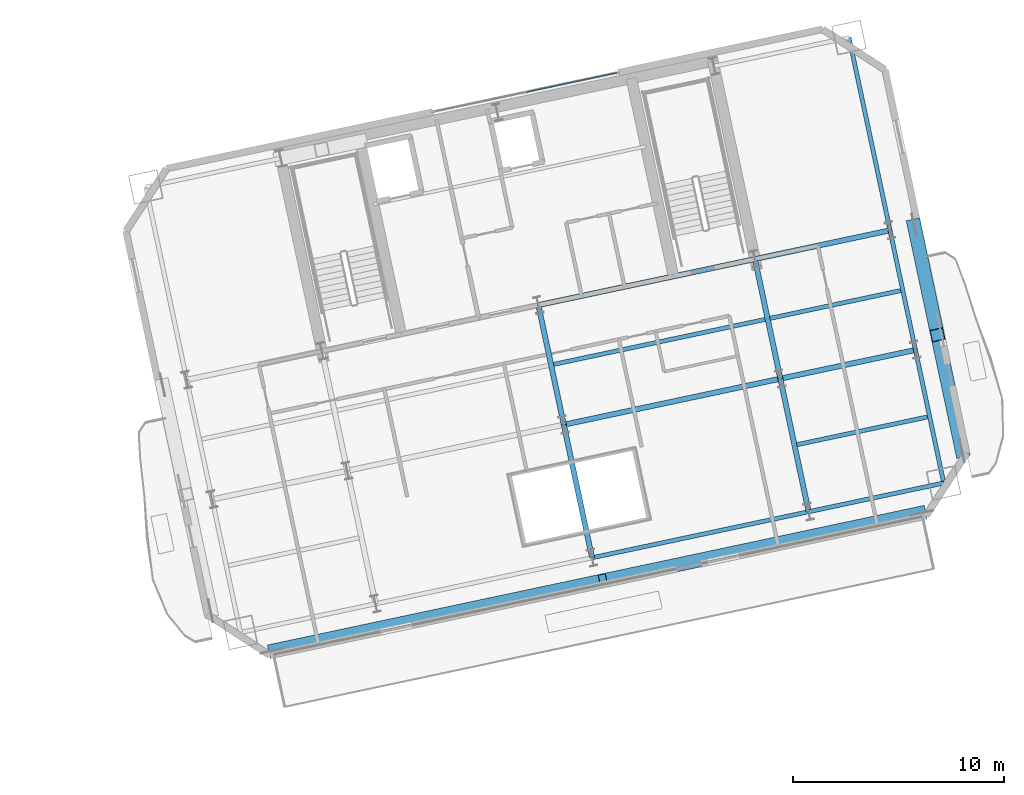
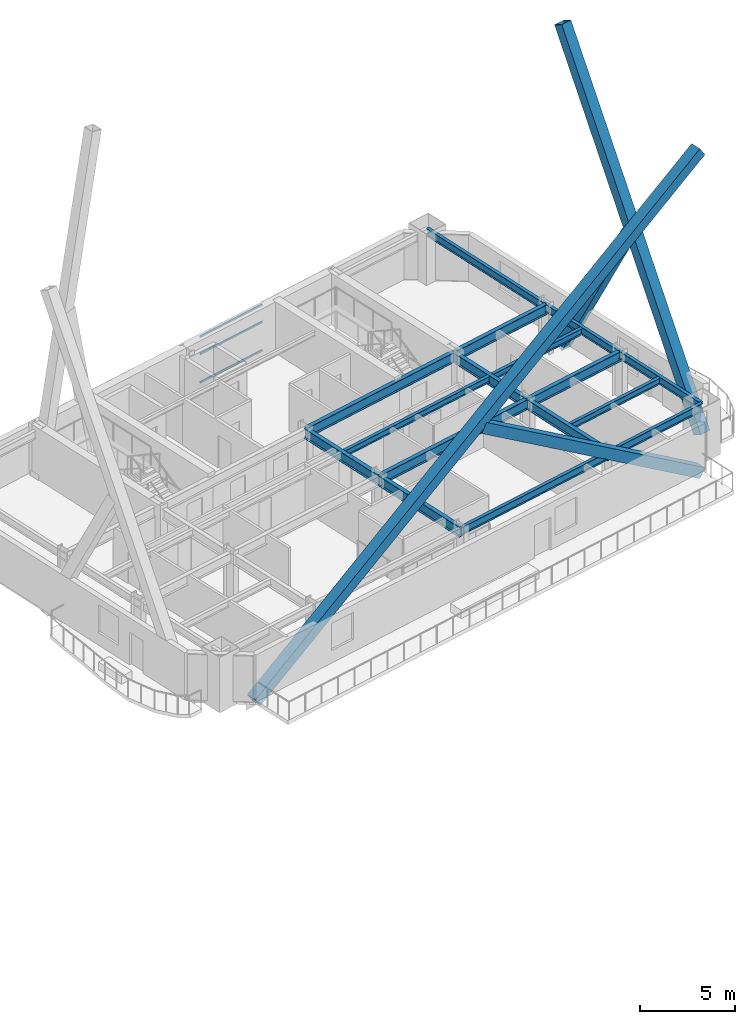
# One storey, part 7 of 22: 16 beams, 7 members, 1 element without a shape of its own.
"""IFC4 building model written with IfcOpenShell, lengths in metres."""

from ifc_helpers import new_model, si_unit, direction, frame, origin, origin_2d, place, context, subcontext, project, spatial, hollow_rectangle, i_section, extrude, material, layer, layer_set, material_profile, profile_set, type_object, element, aggregate, save


model = new_model("IFC4")

# Units and contexts
model_context = context("Model", 3, precision=1e-05, world=origin(), true_north=direction((0.0, 1.0)))
body_context = subcontext(model_context, "Body", "Model", "MODEL_VIEW")
ifc_project = project(units=[si_unit("LENGTHUNIT", "METRE"), si_unit("AREAUNIT", "SQUARE_METRE"), si_unit("VOLUMEUNIT", "CUBIC_METRE"), si_unit("PLANEANGLEUNIT", "RADIAN"), si_unit("MASSUNIT", "GRAM", prefix="KILO")], contexts=[model_context])

# Site, building, storey
site_placement = place(None, origin())
site = spatial("IfcSite", under=ifc_project, at=site_placement, CompositionType="ELEMENT")
building_placement = place(site_placement, origin())
building = spatial("IfcBuilding", under=site, at=building_placement, Name="Haevon Station Towers", CompositionType="ELEMENT")
storey_placement = place(building_placement, frame((0.0, 0.0, 113.10009765625)))
storey = spatial("IfcBuildingStorey", under=building, at=storey_placement, Name="L30", CompositionType="ELEMENT", Elevation=113.10009765625)

# Beams
ifc_material_1 = material(Name="Steel S355", Category="steel")
ifc_material_profile_1 = material_profile(ifc_material_1, i_section(OverallWidth=0.25, OverallDepth=0.64990234375, WebThickness=0.012939453125, FlangeThickness=0.02197265625, at=origin_2d()), Name="H-650x250x13x22")
ifc_profile_set_1 = profile_set([ifc_material_profile_1], Name="Steel S355")
beam_type_1 = type_object("IfcBeamType", Name="BM-G650", PredefinedType="BEAM", material=ifc_profile_set_1)
beam_1_placement = place(storey_placement, frame((110.228759765625, 33.9521484375, 2.724853515625), z_axis=(0.978146794194, 0.207915485254, 0.0), x_axis=(-0.207915485254, 0.978146794194, 0.0)))
element("IfcBeam", 1, at=beam_1_placement, inside=storey, type_object=beam_type_1, Name="BM-T2U-L30-02-03", PredefinedType="BEAM", context=body_context, shape_type="SweptSolid", body=[
    extrude(i_section(OverallWidth=0.25, OverallDepth=0.64990234375, WebThickness=0.012939453125, FlangeThickness=0.02197265625, at=origin_2d()), origin(), (0.0, 0.0, 1.0), 10.5),
])
beam_2_placement = place(storey_placement, frame((120.499267578125, 36.13525390625, 2.724853515625), z_axis=(0.978148524343, 0.207907345532, 0.0), x_axis=(-0.207907345532, 0.978148524343, 0.0)))
element("IfcBeam", 2, at=beam_2_placement, inside=storey, type_object=beam_type_1, Name="BM-T2U-L30-02-04", PredefinedType="BEAM", context=body_context, shape_type="SweptSolid", body=[
    extrude(i_section(OverallWidth=0.25, OverallDepth=0.64990234375, WebThickness=0.012939453125, FlangeThickness=0.02197265625, at=origin_2d()), origin(), (0.0, 0.0, 1.0), 6.550048828125),
])
beam_3_placement = place(storey_placement, frame((109.02294921875, 39.62548828125, 2.724853515625), z_axis=(0.978146794194, 0.207915485254, 0.0), x_axis=(-0.207915485254, 0.978146794194, 0.0)))
element("IfcBeam", 3, at=beam_3_placement, inside=storey, type_object=beam_type_1, Name="BM-T2U-L30-03-03", PredefinedType="BEAM", context=body_context, shape_type="SweptSolid", body=[
    extrude(i_section(OverallWidth=0.25, OverallDepth=0.64990234375, WebThickness=0.012939453125, FlangeThickness=0.02197265625, at=origin_2d()), origin(), (0.0, 0.0, 1.0), 10.5),
])
beam_4_placement = place(storey_placement, frame((119.29345703125, 41.80859375, 2.724853515625), z_axis=(0.978146913123, 0.207914925745, 0.0), x_axis=(-0.207914925745, 0.978146913123, 0.0)))
element("IfcBeam", 4, at=beam_4_placement, inside=storey, type_object=beam_type_1, Name="BM-T2U-L30-03-04", PredefinedType="BEAM", context=body_context, shape_type="SweptSolid", body=[
    extrude(i_section(OverallWidth=0.25, OverallDepth=0.64990234375, WebThickness=0.012939453125, FlangeThickness=0.02197265625, at=origin_2d()), origin(), (0.0, 0.0, 1.0), 6.5498046875),
])
beam_5_placement = place(storey_placement, frame((111.56982421875, 27.64306640625, 2.724853515625), z_axis=(-0.207915795165, 0.978146728319, 0.0), x_axis=(-0.978146728319, -0.207915795165, 0.0)))
element("IfcBeam", 5, at=beam_5_placement, inside=storey, type_object=beam_type_1, Name="BM-T2V-L30-03-01", PredefinedType="BEAM", context=body_context, shape_type="SweptSolid", body=[
    extrude(i_section(OverallWidth=0.25, OverallDepth=0.64990234375, WebThickness=0.012939453125, FlangeThickness=0.02197265625, at=origin_2d()), origin(), (0.0, 0.0, 1.0), 6.449951171875),
])
beam_6_placement = place(storey_placement, frame((110.228759765625, 33.9521484375, 2.724853515625), z_axis=(-0.207896009217, 0.97815093383, 0.0), x_axis=(-0.97815093383, -0.207896009217, 0.0)))
element("IfcBeam", 6, at=beam_6_placement, inside=storey, type_object=beam_type_1, Name="BM-T2V-L30-03-02", PredefinedType="BEAM", context=body_context, shape_type="SweptSolid", body=[
    extrude(i_section(OverallWidth=0.25, OverallDepth=0.64990234375, WebThickness=0.012939453125, FlangeThickness=0.02197265625, at=origin_2d()), origin(), (0.0, 0.0, 1.0), 5.800048828125),
])
beam_7_placement = place(storey_placement, frame((121.84033203125, 29.826171875, 2.724853515625), z_axis=(-0.207915795165, 0.978146728319, 0.0), x_axis=(-0.978146728319, -0.207915795165, 0.0)))
element("IfcBeam", 7, at=beam_7_placement, inside=storey, type_object=beam_type_1, Name="BM-T2V-L30-04-01", PredefinedType="BEAM", context=body_context, shape_type="SweptSolid", body=[
    extrude(i_section(OverallWidth=0.25, OverallDepth=0.64990234375, WebThickness=0.012939453125, FlangeThickness=0.02197265625, at=origin_2d()), origin(), (0.0, 0.0, 1.0), 6.449951171875),
])
beam_8_placement = place(storey_placement, frame((120.499267578125, 36.13525390625, 2.724853515625), z_axis=(-0.207896009217, 0.97815093383, 0.0), x_axis=(-0.97815093383, -0.207896009217, 0.0)))
element("IfcBeam", 8, at=beam_8_placement, inside=storey, type_object=beam_type_1, Name="BM-T2V-L30-04-02", PredefinedType="BEAM", context=body_context, shape_type="SweptSolid", body=[
    extrude(i_section(OverallWidth=0.25, OverallDepth=0.64990234375, WebThickness=0.012939453125, FlangeThickness=0.02197265625, at=origin_2d()), origin(), (0.0, 0.0, 1.0), 5.800048828125),
])
ifc_material_profile_2 = material_profile(ifc_material_1, i_section(OverallWidth=0.199951171875, OverallDepth=0.39990234375, WebThickness=0.008056640625, FlangeThickness=0.012939453125, at=origin_2d()), Name="H-400x200x8x13")
ifc_profile_set_2 = profile_set([ifc_material_profile_2], Name="Steel S355")
beam_type_2 = type_object("IfcBeamType", Name="BM-J400", PredefinedType="JOIST", material=ifc_profile_set_2)
beam_9_placement = place(storey_placement, frame((121.27734375, 33.003662109375, 2.849853515625), z_axis=(0.978146498858, 0.207916874669, 0.0), x_axis=(-0.207916874669, 0.978146498858, 0.0)))
element("IfcBeam", 9, at=beam_9_placement, inside=storey, type_object=beam_type_2, Name="BM-T2J-L30-01-04", PredefinedType="JOIST", context=body_context, shape_type="SweptSolid", body=[
    extrude(i_section(OverallWidth=0.199951171875, OverallDepth=0.39990234375, WebThickness=0.008056640625, FlangeThickness=0.012939453125, at=origin_2d()), origin(), (0.0, 0.0, 1.0), 6.330322265625),
])
beam_10_placement = place(storey_placement, frame((109.7333984375, 36.811767578125, 2.849853515625), z_axis=(0.978150339653, 0.207898804801, 0.0), x_axis=(-0.207898804801, 0.978150339653, 0.0)))
element("IfcBeam", 10, at=beam_10_placement, inside=storey, type_object=beam_type_2, Name="BM-T2J-L30-02-03", PredefinedType="JOIST", context=body_context, shape_type="SweptSolid", body=[
    extrude(i_section(OverallWidth=0.199951171875, OverallDepth=0.39990234375, WebThickness=0.008056640625, FlangeThickness=0.012939453125, at=origin_2d()), origin(), (0.0, 0.0, 1.0), 10.280029296875),
])
beam_11_placement = place(storey_placement, frame((120.00390625, 38.994873046875, 2.849853515625), z_axis=(0.978152675037, 0.207887816665, 0.0), x_axis=(-0.207887816665, 0.978152675037, 0.0)))
element("IfcBeam", 11, at=beam_11_placement, inside=storey, type_object=beam_type_2, Name="BM-T2J-L30-02-04", PredefinedType="JOIST", context=body_context, shape_type="SweptSolid", body=[
    extrude(i_section(OverallWidth=0.199951171875, OverallDepth=0.39990234375, WebThickness=0.008056640625, FlangeThickness=0.012939453125, at=origin_2d()), origin(), (0.0, 0.0, 1.0), 6.329833984375),
])
ifc_material_profile_3 = material_profile(ifc_material_1, i_section(OverallWidth=0.199951171875, OverallDepth=0.5, WebThickness=0.010009765625, FlangeThickness=0.01611328125, at=origin_2d()), Name="H-500x200x10x16")
ifc_profile_set_3 = profile_set([ifc_material_profile_3], Name="Steel S355")
beam_type_3 = type_object("IfcBeamType", Name="BM-SP500", PredefinedType="SPANDREL", material=ifc_profile_set_3)
beam_12_placement = place(storey_placement, frame((111.56982421875, 27.64306640625, 2.7998046875), z_axis=(0.978146794194, 0.207915485254, 0.0), x_axis=(-0.207915485254, 0.978146794194, 0.0)))
element("IfcBeam", 12, at=beam_12_placement, inside=storey, type_object=beam_type_3, Name="BM-T2U-L30-01-03", PredefinedType="SPANDREL", context=body_context, shape_type="SweptSolid", body=[
    extrude(i_section(OverallWidth=0.199951171875, OverallDepth=0.5, WebThickness=0.010009765625, FlangeThickness=0.01611328125, at=origin_2d()), origin(), (0.0, 0.0, 1.0), 10.5),
])
beam_13_placement = place(storey_placement, frame((121.84033203125, 29.826171875, 2.7998046875), z_axis=(0.978148524343, 0.207907345532, 0.0), x_axis=(-0.207907345532, 0.978148524343, 0.0)))
element("IfcBeam", 13, at=beam_13_placement, inside=storey, type_object=beam_type_3, Name="BM-T2U-L30-01-04", PredefinedType="SPANDREL", context=body_context, shape_type="SweptSolid", body=[
    extrude(i_section(OverallWidth=0.199951171875, OverallDepth=0.5, WebThickness=0.010009765625, FlangeThickness=0.01611328125, at=origin_2d()), origin(), (0.0, 0.0, 1.0), 6.550048828125),
])
beam_14_placement = place(storey_placement, frame((128.247314453125, 31.18798828125, 2.7998046875), z_axis=(-0.207915795165, 0.978146728319, 0.0), x_axis=(-0.978146728319, -0.207915795165, 0.0)))
element("IfcBeam", 14, at=beam_14_placement, inside=storey, type_object=beam_type_3, Name="BM-T2V-L30-05-01", PredefinedType="SPANDREL", context=body_context, shape_type="SweptSolid", body=[
    extrude(i_section(OverallWidth=0.199951171875, OverallDepth=0.5, WebThickness=0.010009765625, FlangeThickness=0.01611328125, at=origin_2d()), origin(), (0.0, 0.0, 1.0), 6.449951171875),
])
beam_15_placement = place(storey_placement, frame((126.90625, 37.4970703125, 2.7998046875), z_axis=(-0.207936282142, 0.978142373363, 0.0), x_axis=(-0.978142373363, -0.207936282142, 0.0)))
element("IfcBeam", 15, at=beam_15_placement, inside=storey, type_object=beam_type_3, Name="BM-T2V-L30-05-02", PredefinedType="SPANDREL", context=body_context, shape_type="SweptSolid", body=[
    extrude(i_section(OverallWidth=0.199951171875, OverallDepth=0.5, WebThickness=0.010009765625, FlangeThickness=0.01611328125, at=origin_2d()), origin(), (0.0, 0.0, 1.0), 5.800048828125),
])
beam_16_placement = place(storey_placement, frame((125.7001953125, 43.17041015625, 2.7998046875), z_axis=(-0.207897167074, 0.978150687738, 0.0), x_axis=(-0.978150687738, -0.207897167074, 0.0)))
element("IfcBeam", 16, at=beam_16_placement, inside=storey, type_object=beam_type_3, Name="BM-T2V-L30-05-03", PredefinedType="SPANDREL", context=body_context, shape_type="SweptSolid", body=[
    extrude(i_section(OverallWidth=0.199951171875, OverallDepth=0.5, WebThickness=0.010009765625, FlangeThickness=0.01611328125, at=origin_2d()), origin(), (0.0, 0.0, 1.0), 9.35009765625),
])

# Curtain wall, members
ifc_material_2 = material(Name="Anodised aluminium and Low-E double glazing", Category="aluminium")
ifc_layer = layer(ifc_material_2, 0.179931640625)
ifc_layer_set = layer_set([ifc_layer], Name="Anodised aluminium and Low-E double glazing")
curtain_wall_type = type_object("IfcCurtainWallType", Name="CW-SYS5", PredefinedType="NOTDEFINED", material=ifc_layer_set)
curtain_wall_placement = place(storey_placement, origin())
curtain_wall = element("IfcCurtainWall", 17, at=curtain_wall_placement, inside=storey, type_object=curtain_wall_type, Name="L30 Curtain Wall CW-T2-L30-N", PredefinedType="NOTDEFINED")
ifc_material_3 = material(Name="Anodised aluminium 6063-T6", Category="aluminium")
ifc_material_profile_4 = material_profile(ifc_material_3, hollow_rectangle(XDim=0.06005859375, YDim=0.1201171875, WallThickness=0.0029296875, at=origin_2d()), Name="CWT-120x60x3")
ifc_profile_set_4 = profile_set([ifc_material_profile_4], Name="Anodised aluminium 6063-T6")
member_type_1 = type_object("IfcMemberType", Name="CWT-120", PredefinedType="USERDEFINED", material=ifc_profile_set_4)
member_1_placement = place(storey_placement, frame((108.4404296875, 49.72509765625, 0.02978515625), z_axis=(0.9781526595, 0.207887889768, 0.0), x_axis=(-0.207887889768, 0.9781526595, 0.0)))
member_1 = element("IfcMember", 18, at=member_1_placement, type_object=member_type_1, Name="CW-SYS5 transom 2.1", ObjectType="TRANSOM", PredefinedType="USERDEFINED", context=body_context, shape_type="SweptSolid", body=[
    extrude(hollow_rectangle(XDim=0.06005859375, YDim=0.1201171875, WallThickness=0.0029296875, at=origin_2d()), origin(), (0.0, 0.0, 1.0), 4.409912109375),
])
member_2_placement = place(storey_placement, frame((108.4404296875, 49.72509765625, 1.85986328125), z_axis=(0.9781526595, 0.207887889768, 0.0), x_axis=(-0.207887889768, 0.9781526595, 0.0)))
member_2 = element("IfcMember", 19, at=member_2_placement, type_object=member_type_1, Name="CW-SYS5 transom 2.2", ObjectType="TRANSOM", PredefinedType="USERDEFINED", context=body_context, shape_type="SweptSolid", body=[
    extrude(hollow_rectangle(XDim=0.06005859375, YDim=0.1201171875, WallThickness=0.0029296875, at=origin_2d()), origin(), (0.0, 0.0, 1.0), 4.409912109375),
])
member_3_placement = place(storey_placement, frame((108.4404296875, 49.72509765625, 2.969970703125), z_axis=(0.9781526595, 0.207887889768, 0.0), x_axis=(-0.207887889768, 0.9781526595, 0.0)))
member_3 = element("IfcMember", 20, at=member_3_placement, type_object=member_type_1, Name="CW-SYS5 transom 2.3", ObjectType="TRANSOM", PredefinedType="USERDEFINED", context=body_context, shape_type="SweptSolid", body=[
    extrude(hollow_rectangle(XDim=0.06005859375, YDim=0.1201171875, WallThickness=0.0029296875, at=origin_2d()), origin(), (0.0, 0.0, 1.0), 4.409912109375),
])
aggregate(curtain_wall, [member_1, member_2, member_3])

# Members
ifc_material_4 = material(Name="Steel S460", Category="steel")
ifc_material_profile_5 = material_profile(ifc_material_4, hollow_rectangle(XDim=0.64990234375, YDim=0.64990234375, WallThickness=0.031982421875, at=origin_2d()), Name="RHS-650x650x32")
ifc_profile_set_5 = profile_set([ifc_material_profile_5], Name="Steel S460")
member_type_2 = type_object("IfcMemberType", Name="MB-650", PredefinedType="BRACE", material=ifc_profile_set_5)
member_4_placement = place(storey_placement, frame((96.4072265625, 23.22412109375, -0.1201171875), z_axis=(0.817802185089, 0.173831158965, 0.548618550758), x_axis=(-0.207913909028, 0.978147129236, 0.0)))
element("IfcMember", 21, at=member_4_placement, inside=storey, type_object=member_type_2, Name="BR-T2MB-T04-S-D1", PredefinedType="BRACE", context=body_context, shape_type="SweptSolid", body=[
    extrude(hollow_rectangle(XDim=0.64990234375, YDim=0.64990234375, WallThickness=0.031982421875, at=origin_2d()), origin(), (0.0, 0.0, 1.0), 37.67626953125),
])
member_5_placement = place(storey_placement, frame((127.218994140625, 29.7734375, -0.1201171875), z_axis=(-0.8178021358, -0.173829469372, 0.548619159581), x_axis=(0.207911987507, -0.978147537671, 0.0)))
element("IfcMember", 22, at=member_5_placement, inside=storey, type_object=member_type_2, Name="BR-T2MB-T04-S-D2A", PredefinedType="BRACE", context=body_context, shape_type="SweptSolid", body=[
    extrude(hollow_rectangle(XDim=0.64990234375, YDim=0.64990234375, WallThickness=0.031982421875, at=origin_2d()), origin(), (0.0, 0.0, 1.0), 18.501220703125),
])
member_6_placement = place(storey_placement, frame((129.121337890625, 32.702880859375, -0.1201171875), z_axis=(-0.097327742585, 0.457894412327, 0.883662841633), x_axis=(-0.978147913223, -0.207910220665, 0.0)))
element("IfcMember", 23, at=member_6_placement, inside=storey, type_object=member_type_2, Name="BR-T2MB-T04-E-D1", PredefinedType="BRACE", context=body_context, shape_type="SweptSolid", body=[
    extrude(hollow_rectangle(XDim=0.64990234375, YDim=0.64990234375, WallThickness=0.031982421875, at=origin_2d()), origin(), (0.0, 0.0, 1.0), 23.39111328125),
])
member_7_placement = place(storey_placement, frame((126.8447265625, 43.41357421875, -0.1201171875), z_axis=(0.097325334245, -0.457889044924, 0.883665888134), x_axis=(0.978148463854, 0.207907630115, 0.0)))
element("IfcMember", 24, at=member_7_placement, inside=storey, type_object=member_type_2, Name="BR-T2MB-T04-E-D2A", PredefinedType="BRACE", context=body_context, shape_type="SweptSolid", body=[
    extrude(hollow_rectangle(XDim=0.64990234375, YDim=0.64990234375, WallThickness=0.031982421875, at=origin_2d()), origin(), (0.0, 0.0, 1.0), 11.3583984375),
])

save(model, "model.ifc")
